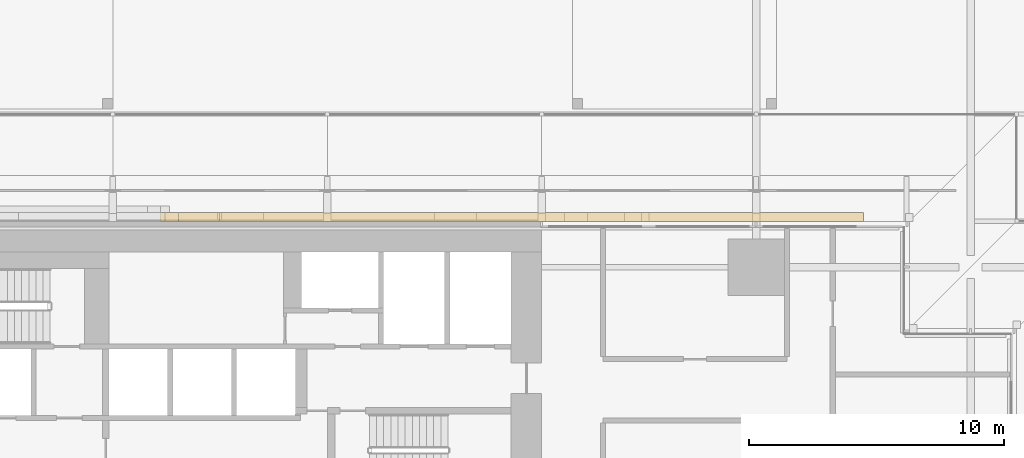
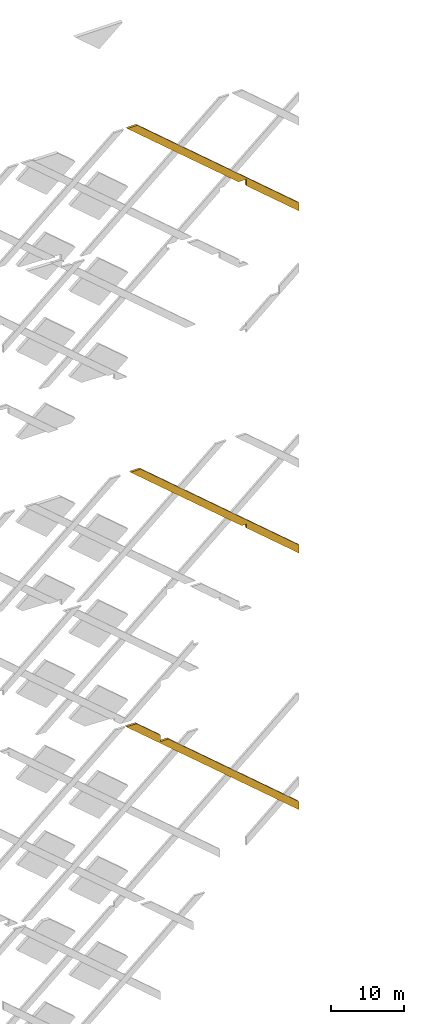
# One storey, part 54 of 60: 3 coverings.
"""IFC4 building model written with IfcOpenShell, lengths in metres."""

from ifc_helpers import new_model, si_unit, direction, frame, origin, place, context, subcontext, project, spatial, polyline, outline, extrude, material, layer, layer_set, type_object, element, save


model = new_model("IFC4")

# Units and contexts
model_context = context("Model", 3, precision=1e-05, world=origin(), true_north=direction((0.0, 1.0)))
body_context = subcontext(model_context, "Body", "Model", "MODEL_VIEW")
ifc_project = project(units=[si_unit("LENGTHUNIT", "METRE"), si_unit("AREAUNIT", "SQUARE_METRE"), si_unit("VOLUMEUNIT", "CUBIC_METRE"), si_unit("PLANEANGLEUNIT", "RADIAN"), si_unit("MASSUNIT", "GRAM", prefix="KILO")], contexts=[model_context])

# Site, building, storey
site_placement = place(None, origin())
site = spatial("IfcSite", under=ifc_project, at=site_placement, CompositionType="ELEMENT")
building_placement = place(site_placement, origin())
building = spatial("IfcBuilding", under=site, at=building_placement, Name="Saffron Gate Tower", CompositionType="ELEMENT")
storey_placement = place(building_placement, frame((0.0, 0.0, 19.199951171875)))
storey = spatial("IfcBuildingStorey", under=building, at=storey_placement, Name="L03", CompositionType="ELEMENT", Elevation=19.199951171875)

# Coverings
ifc_material = material(Name="Ceramic-printed bronze insulated panel")
ifc_layer = layer(ifc_material, 0.35009765625)
ifc_layer_set = layer_set([ifc_layer], Name="LZ1 lozenge lattice bar 1600")
covering_type = type_object("IfcCoveringType", Name="LZ1 lozenge lattice bar 1600", PredefinedType="CLADDING", material=ifc_layer_set)
covering_1_placement = place(storey_placement, frame((121.199951171875, 75.949951171875, 209.6572265625), z_axis=(0.0, 1.0, 0.0), x_axis=(-0.759255044656, 0.0, 0.650793190779)))
element("IfcCovering", 1, at=covering_1_placement, inside=storey, type_object=covering_type, Name="CLADDING lozenge lattice bar", PredefinedType="CLADDING", context=body_context, shape_type="SweptSolid", body=[
    extrude(outline(polyline([(0.0, 0.0), (11.06334742570805, 0.0), (11.755132961023598, 0.8070792149491961), (12.696601801796902, 0.00010201378528496008), (36.02197513246513, 1.9702371943708386e-05), (34.80727828001633, 1.0411934765848017), (0.892457361476213, 1.041195211384849), (0.0, 0.0)])), origin(), (0.0, 0.0, -1.0), 0.35009765625),
])
covering_2_placement = place(storey_placement, frame((121.199951171875, 75.949951171875, 152.05712890625), z_axis=(0.0, 1.0, 0.0), x_axis=(-0.759255044656, 0.0, 0.650793190779)))
element("IfcCovering", 2, at=covering_2_placement, inside=storey, type_object=covering_type, Name="CLADDING lozenge lattice bar", PredefinedType="CLADDING", context=body_context, shape_type="SweptSolid", body=[
    extrude(outline(polyline([(0.0, 0.0), (11.06334742570805, 0.0), (11.462307802184242, 0.4654515178542562), (12.005241890513638, 7.718782686971792e-05), (35.330615221181866, -5.1235864688692345e-06), (34.11573300373193, 1.0413275356827292), (0.8926162465325556, 1.0413805763859858), (0.0, 0.0)])), origin(), (0.0, 0.0, -1.0), 0.35009765625),
])
covering_3_placement = place(storey_placement, frame((121.199951171875, 75.949951171875, 108.857177734375), z_axis=(0.0, 1.0, 0.0), x_axis=(-0.759253275167, 0.0, 0.650795255167)))
element("IfcCovering", 3, at=covering_3_placement, inside=storey, type_object=covering_type, Name="CLADDING lozenge lattice bar", PredefinedType="CLADDING", context=body_context, shape_type="SweptSolid", body=[
    extrude(outline(polyline([(0.0, 0.0), (36.25709787875687, -3.552713678800501e-15), (34.96899916564144, 1.0410715291395292), (29.93415763679273, 1.0411237506701188), (29.232201231194985, 0.22218308424233335), (28.27664687731648, 1.041238147813262), (0.8924601924496438, 1.0411927848177636), (0.0, 0.0)])), origin(), (0.0, 0.0, -1.0), 0.35009765625),
])

save(model, "model.ifc")
